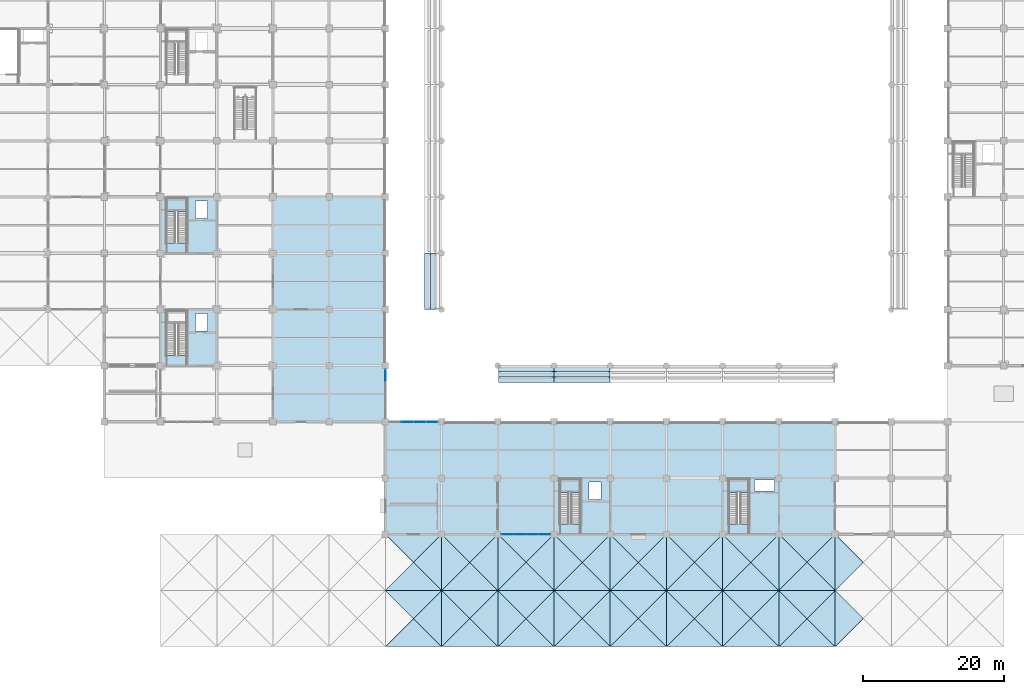
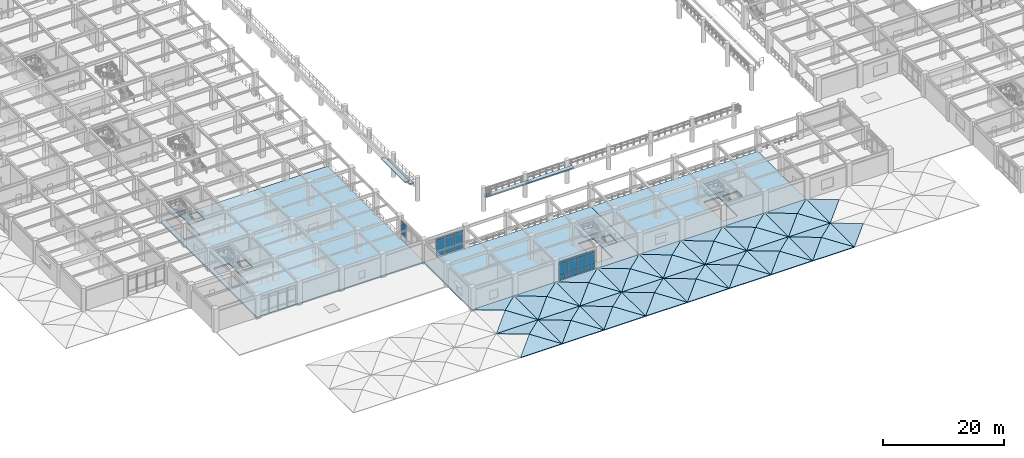
# One storey, part 55 of 109: 78 slabs, 23 plates, 6 elements without a shape of their own.
"""IFC4 building model written with IfcOpenShell, lengths in metres."""

from ifc_helpers import new_model, si_unit, direction, frame, origin, origin_2d, place, context, subcontext, project, spatial, polyline, rectangle, outline, extrude, material, layer, layer_set, type_object, element, aggregate, save


model = new_model("IFC4")

# Units and contexts
model_context = context("Model", 3, precision=1e-05, world=origin(), true_north=direction((0.0, 1.0)))
body_context = subcontext(model_context, "Body", "Model", "MODEL_VIEW")
ifc_project = project(units=[si_unit("LENGTHUNIT", "METRE"), si_unit("AREAUNIT", "SQUARE_METRE"), si_unit("VOLUMEUNIT", "CUBIC_METRE"), si_unit("PLANEANGLEUNIT", "RADIAN"), si_unit("MASSUNIT", "GRAM", prefix="KILO")], contexts=[model_context])

# Site, building, storey
site_placement = place(None, origin())
site = spatial("IfcSite", under=ifc_project, at=site_placement, CompositionType="ELEMENT")
building_placement = place(site_placement, origin())
building = spatial("IfcBuilding", under=site, at=building_placement, Name="Haebicheon Civic Stadium", CompositionType="ELEMENT")
storey_placement = place(building_placement, frame((0.0, 0.0, 9.60009765625)))
storey = spatial("IfcBuildingStorey", under=building, at=storey_placement, Name="L03", CompositionType="ELEMENT", Elevation=9.60009765625)

# Curtain wall, plate
ifc_material_1 = material(Name="Anodised aluminium and laminated glass", Category="aluminium")
ifc_layer_1 = layer(ifc_material_1, 0.179931640625, Name="Anodised aluminium and laminated glass")
ifc_layer_set_1 = layer_set([ifc_layer_1], Name="Anodised aluminium and laminated glass")
curtain_wall_type = type_object("IfcCurtainWallType", Name="CW-7050x3770", PredefinedType="NOTDEFINED", material=ifc_layer_set_1)
curtain_wall_1_placement = place(storey_placement, origin())
curtain_wall_1 = element("IfcCurtainWall", 1, at=curtain_wall_1_placement, inside=storey, type_object=curtain_wall_type, material=ifc_layer_set_1, Name="L03 unitised curtain wall 076", PredefinedType="NOTDEFINED")
ifc_material_2 = material(Name="Double low-e laminated glass", Category="glass")
ifc_layer_2 = layer(ifc_material_2, 0.028076171875, Name="Double low-e laminated glass")
ifc_layer_set_2 = layer_set([ifc_layer_2], Name="Double low-e laminated glass")
plate_type_1 = type_object("IfcPlateType", Name="CWP-GLZ-28", PredefinedType="CURTAIN_PANEL", material=ifc_layer_set_2)
plate_1_placement = place(storey_placement, frame((64.0, 38.6259765625, 1.094970703125), z_axis=(0.0, 0.0, 1.0), x_axis=(0.0, 1.0, 0.0)))
plate_1 = element("IfcPlate", 2, at=plate_1_placement, type_object=plate_type_1, material=ifc_layer_set_2, Name="CW-L03-076 vision panel 4.2", PredefinedType="CURTAIN_PANEL", context=body_context, shape_type="SweptSolid", body=[
    extrude(rectangle(XDim=1.656982421875, YDim=0.028076171875, at=origin_2d()), origin(), (0.0, 0.0, 1.0), 2.25),
])

# Curtain wall, plates
curtain_wall_2_placement = place(storey_placement, origin())
curtain_wall_2 = element("IfcCurtainWall", 3, at=curtain_wall_2_placement, inside=storey, type_object=curtain_wall_type, material=ifc_layer_set_1, Name="L03 unitised curtain wall 077", PredefinedType="NOTDEFINED")
plate_2_placement = place(storey_placement, frame((67.117919921875, 32.0, 1.094970703125), z_axis=(0.0, 0.0, 1.0), x_axis=(1.0, 0.0, 0.0)))
plate_2 = element("IfcPlate", 4, at=plate_2_placement, type_object=plate_type_1, material=ifc_layer_set_2, Name="CW-L03-077 vision panel 2.2", PredefinedType="CURTAIN_PANEL", context=body_context, shape_type="SweptSolid", body=[
    extrude(rectangle(XDim=1.693115234375, YDim=0.028076171875, at=origin_2d()), origin(), (0.0, 0.0, 1.0), 2.25),
])
plate_3_placement = place(storey_placement, frame((68.882080078125, 32.0, 1.094970703125), z_axis=(0.0, 0.0, 1.0), x_axis=(1.0, 0.0, 0.0)))
plate_3 = element("IfcPlate", 5, at=plate_3_placement, type_object=plate_type_1, material=ifc_layer_set_2, Name="CW-L03-077 vision panel 3.2", PredefinedType="CURTAIN_PANEL", context=body_context, shape_type="SweptSolid", body=[
    extrude(rectangle(XDim=1.693115234375, YDim=0.028076171875, at=origin_2d()), origin(), (0.0, 0.0, 1.0), 2.25),
])
plate_4_placement = place(storey_placement, frame((70.6259765625, 32.0, 1.094970703125), z_axis=(0.0, 0.0, 1.0), x_axis=(1.0, 0.0, 0.0)))
plate_4 = element("IfcPlate", 6, at=plate_4_placement, type_object=plate_type_1, material=ifc_layer_set_2, Name="CW-L03-077 vision panel 4.2", PredefinedType="CURTAIN_PANEL", context=body_context, shape_type="SweptSolid", body=[
    extrude(rectangle(XDim=1.656982421875, YDim=0.028076171875, at=origin_2d()), origin(), (0.0, 0.0, 1.0), 2.25),
])

curtain_wall_3_placement = place(storey_placement, origin())
curtain_wall_3 = element("IfcCurtainWall", 7, at=curtain_wall_3_placement, inside=storey, type_object=curtain_wall_type, material=ifc_layer_set_1, Name="L03 unitised curtain wall 080", PredefinedType="NOTDEFINED")
plate_5_placement = place(storey_placement, frame((81.3740234375, 16.0, 1.094970703125), z_axis=(0.0, 0.0, 1.0), x_axis=(1.0, 0.0, 0.0)))
plate_5 = element("IfcPlate", 8, at=plate_5_placement, type_object=plate_type_1, material=ifc_layer_set_2, Name="CW-L03-080 vision panel 1.2", PredefinedType="CURTAIN_PANEL", context=body_context, shape_type="SweptSolid", body=[
    extrude(rectangle(XDim=1.656982421875, YDim=0.028076171875, at=origin_2d()), origin(), (0.0, 0.0, 1.0), 2.25),
])
plate_6_placement = place(storey_placement, frame((83.117919921875, 16.0, 1.094970703125), z_axis=(0.0, 0.0, 1.0), x_axis=(1.0, 0.0, 0.0)))
plate_6 = element("IfcPlate", 9, at=plate_6_placement, type_object=plate_type_1, material=ifc_layer_set_2, Name="CW-L03-080 vision panel 2.2", PredefinedType="CURTAIN_PANEL", context=body_context, shape_type="SweptSolid", body=[
    extrude(rectangle(XDim=1.693115234375, YDim=0.028076171875, at=origin_2d()), origin(), (0.0, 0.0, 1.0), 2.25),
])
plate_7_placement = place(storey_placement, frame((84.882080078125, 16.0, 1.094970703125), z_axis=(0.0, 0.0, 1.0), x_axis=(1.0, 0.0, 0.0)))
plate_7 = element("IfcPlate", 10, at=plate_7_placement, type_object=plate_type_1, material=ifc_layer_set_2, Name="CW-L03-080 vision panel 3.2", PredefinedType="CURTAIN_PANEL", context=body_context, shape_type="SweptSolid", body=[
    extrude(rectangle(XDim=1.693115234375, YDim=0.028076171875, at=origin_2d()), origin(), (0.0, 0.0, 1.0), 2.25),
])
plate_8_placement = place(storey_placement, frame((86.6259765625, 16.0, 1.094970703125), z_axis=(0.0, 0.0, 1.0), x_axis=(1.0, 0.0, 0.0)))
plate_8 = element("IfcPlate", 11, at=plate_8_placement, type_object=plate_type_1, material=ifc_layer_set_2, Name="CW-L03-080 vision panel 4.2", PredefinedType="CURTAIN_PANEL", context=body_context, shape_type="SweptSolid", body=[
    extrude(rectangle(XDim=1.656982421875, YDim=0.028076171875, at=origin_2d()), origin(), (0.0, 0.0, 1.0), 2.25),
])

# Plate
ifc_material_3 = material(Name="Anodised aluminium 6063-T6", Category="aluminium")
ifc_layer_3 = layer(ifc_material_3, 0.0439453125, Name="Anodised aluminium 6063-T6")
ifc_layer_set_3 = layer_set([ifc_layer_3], Name="Anodised aluminium 6063-T6")
plate_type_2 = type_object("IfcPlateType", Name="CWP-SPD-44", PredefinedType="CURTAIN_PANEL", material=ifc_layer_set_3)
plate_9_placement = place(storey_placement, frame((64.0, 38.6259765625, 3.414794921875), z_axis=(0.0, 0.0, 1.0), x_axis=(0.0, 1.0, 0.0)))
plate_9 = element("IfcPlate", 12, at=plate_9_placement, type_object=plate_type_2, material=ifc_layer_set_3, Name="CW-L03-076 spandrel panel 4.3", PredefinedType="CURTAIN_PANEL", context=body_context, shape_type="SweptSolid", body=[
    extrude(rectangle(XDim=1.656982421875, YDim=0.0439453125, at=origin_2d()), origin(), (0.0, 0.0, 1.0), 0.47998046875),
])

aggregate(curtain_wall_1, [plate_1, plate_9])

plate_10_placement = place(storey_placement, frame((67.117919921875, 32.0, 0.19482421875), z_axis=(0.0, 0.0, 1.0), x_axis=(1.0, 0.0, 0.0)))
plate_10 = element("IfcPlate", 13, at=plate_10_placement, type_object=plate_type_2, material=ifc_layer_set_3, Name="CW-L03-077 spandrel panel 2.1", PredefinedType="CURTAIN_PANEL", context=body_context, shape_type="SweptSolid", body=[
    extrude(rectangle(XDim=1.693115234375, YDim=0.0439453125, at=origin_2d()), origin(), (0.0, 0.0, 1.0), 0.830078125),
])

plate_11_placement = place(storey_placement, frame((67.117919921875, 32.0, 3.414794921875), z_axis=(0.0, 0.0, 1.0), x_axis=(1.0, 0.0, 0.0)))
plate_11 = element("IfcPlate", 14, at=plate_11_placement, type_object=plate_type_2, material=ifc_layer_set_3, Name="CW-L03-077 spandrel panel 2.3", PredefinedType="CURTAIN_PANEL", context=body_context, shape_type="SweptSolid", body=[
    extrude(rectangle(XDim=1.693115234375, YDim=0.0439453125, at=origin_2d()), origin(), (0.0, 0.0, 1.0), 0.47998046875),
])

plate_12_placement = place(storey_placement, frame((68.882080078125, 32.0, 0.19482421875), z_axis=(0.0, 0.0, 1.0), x_axis=(1.0, 0.0, 0.0)))
plate_12 = element("IfcPlate", 15, at=plate_12_placement, type_object=plate_type_2, material=ifc_layer_set_3, Name="CW-L03-077 spandrel panel 3.1", PredefinedType="CURTAIN_PANEL", context=body_context, shape_type="SweptSolid", body=[
    extrude(rectangle(XDim=1.693115234375, YDim=0.0439453125, at=origin_2d()), origin(), (0.0, 0.0, 1.0), 0.830078125),
])

plate_13_placement = place(storey_placement, frame((68.882080078125, 32.0, 3.414794921875), z_axis=(0.0, 0.0, 1.0), x_axis=(1.0, 0.0, 0.0)))
plate_13 = element("IfcPlate", 16, at=plate_13_placement, type_object=plate_type_2, material=ifc_layer_set_3, Name="CW-L03-077 spandrel panel 3.3", PredefinedType="CURTAIN_PANEL", context=body_context, shape_type="SweptSolid", body=[
    extrude(rectangle(XDim=1.693115234375, YDim=0.0439453125, at=origin_2d()), origin(), (0.0, 0.0, 1.0), 0.47998046875),
])

plate_14_placement = place(storey_placement, frame((70.6259765625, 32.0, 0.19482421875), z_axis=(0.0, 0.0, 1.0), x_axis=(1.0, 0.0, 0.0)))
plate_14 = element("IfcPlate", 17, at=plate_14_placement, type_object=plate_type_2, material=ifc_layer_set_3, Name="CW-L03-077 spandrel panel 4.1", PredefinedType="CURTAIN_PANEL", context=body_context, shape_type="SweptSolid", body=[
    extrude(rectangle(XDim=1.656982421875, YDim=0.0439453125, at=origin_2d()), origin(), (0.0, 0.0, 1.0), 0.830078125),
])

plate_15_placement = place(storey_placement, frame((70.6259765625, 32.0, 3.414794921875), z_axis=(0.0, 0.0, 1.0), x_axis=(1.0, 0.0, 0.0)))
plate_15 = element("IfcPlate", 18, at=plate_15_placement, type_object=plate_type_2, material=ifc_layer_set_3, Name="CW-L03-077 spandrel panel 4.3", PredefinedType="CURTAIN_PANEL", context=body_context, shape_type="SweptSolid", body=[
    extrude(rectangle(XDim=1.656982421875, YDim=0.0439453125, at=origin_2d()), origin(), (0.0, 0.0, 1.0), 0.47998046875),
])

aggregate(curtain_wall_2, [plate_10, plate_2, plate_11, plate_12, plate_3, plate_13, plate_14, plate_4, plate_15])

plate_16_placement = place(storey_placement, frame((81.3740234375, 16.0, 0.19482421875), z_axis=(0.0, 0.0, 1.0), x_axis=(1.0, 0.0, 0.0)))
plate_16 = element("IfcPlate", 19, at=plate_16_placement, type_object=plate_type_2, material=ifc_layer_set_3, Name="CW-L03-080 spandrel panel 1.1", PredefinedType="CURTAIN_PANEL", context=body_context, shape_type="SweptSolid", body=[
    extrude(rectangle(XDim=1.656982421875, YDim=0.0439453125, at=origin_2d()), origin(), (0.0, 0.0, 1.0), 0.830078125),
])

plate_17_placement = place(storey_placement, frame((81.3740234375, 16.0, 3.414794921875), z_axis=(0.0, 0.0, 1.0), x_axis=(1.0, 0.0, 0.0)))
plate_17 = element("IfcPlate", 20, at=plate_17_placement, type_object=plate_type_2, material=ifc_layer_set_3, Name="CW-L03-080 spandrel panel 1.3", PredefinedType="CURTAIN_PANEL", context=body_context, shape_type="SweptSolid", body=[
    extrude(rectangle(XDim=1.656982421875, YDim=0.0439453125, at=origin_2d()), origin(), (0.0, 0.0, 1.0), 0.47998046875),
])

plate_18_placement = place(storey_placement, frame((83.117919921875, 16.0, 0.19482421875), z_axis=(0.0, 0.0, 1.0), x_axis=(1.0, 0.0, 0.0)))
plate_18 = element("IfcPlate", 21, at=plate_18_placement, type_object=plate_type_2, material=ifc_layer_set_3, Name="CW-L03-080 spandrel panel 2.1", PredefinedType="CURTAIN_PANEL", context=body_context, shape_type="SweptSolid", body=[
    extrude(rectangle(XDim=1.693115234375, YDim=0.0439453125, at=origin_2d()), origin(), (0.0, 0.0, 1.0), 0.830078125),
])

plate_19_placement = place(storey_placement, frame((83.117919921875, 16.0, 3.414794921875), z_axis=(0.0, 0.0, 1.0), x_axis=(1.0, 0.0, 0.0)))
plate_19 = element("IfcPlate", 22, at=plate_19_placement, type_object=plate_type_2, material=ifc_layer_set_3, Name="CW-L03-080 spandrel panel 2.3", PredefinedType="CURTAIN_PANEL", context=body_context, shape_type="SweptSolid", body=[
    extrude(rectangle(XDim=1.693115234375, YDim=0.0439453125, at=origin_2d()), origin(), (0.0, 0.0, 1.0), 0.47998046875),
])

plate_20_placement = place(storey_placement, frame((84.882080078125, 16.0, 0.19482421875), z_axis=(0.0, 0.0, 1.0), x_axis=(1.0, 0.0, 0.0)))
plate_20 = element("IfcPlate", 23, at=plate_20_placement, type_object=plate_type_2, material=ifc_layer_set_3, Name="CW-L03-080 spandrel panel 3.1", PredefinedType="CURTAIN_PANEL", context=body_context, shape_type="SweptSolid", body=[
    extrude(rectangle(XDim=1.693115234375, YDim=0.0439453125, at=origin_2d()), origin(), (0.0, 0.0, 1.0), 0.830078125),
])

plate_21_placement = place(storey_placement, frame((84.882080078125, 16.0, 3.414794921875), z_axis=(0.0, 0.0, 1.0), x_axis=(1.0, 0.0, 0.0)))
plate_21 = element("IfcPlate", 24, at=plate_21_placement, type_object=plate_type_2, material=ifc_layer_set_3, Name="CW-L03-080 spandrel panel 3.3", PredefinedType="CURTAIN_PANEL", context=body_context, shape_type="SweptSolid", body=[
    extrude(rectangle(XDim=1.693115234375, YDim=0.0439453125, at=origin_2d()), origin(), (0.0, 0.0, 1.0), 0.47998046875),
])

plate_22_placement = place(storey_placement, frame((86.6259765625, 16.0, 0.19482421875), z_axis=(0.0, 0.0, 1.0), x_axis=(1.0, 0.0, 0.0)))
plate_22 = element("IfcPlate", 25, at=plate_22_placement, type_object=plate_type_2, material=ifc_layer_set_3, Name="CW-L03-080 spandrel panel 4.1", PredefinedType="CURTAIN_PANEL", context=body_context, shape_type="SweptSolid", body=[
    extrude(rectangle(XDim=1.656982421875, YDim=0.0439453125, at=origin_2d()), origin(), (0.0, 0.0, 1.0), 0.830078125),
])

plate_23_placement = place(storey_placement, frame((86.6259765625, 16.0, 3.414794921875), z_axis=(0.0, 0.0, 1.0), x_axis=(1.0, 0.0, 0.0)))
plate_23 = element("IfcPlate", 26, at=plate_23_placement, type_object=plate_type_2, material=ifc_layer_set_3, Name="CW-L03-080 spandrel panel 4.3", PredefinedType="CURTAIN_PANEL", context=body_context, shape_type="SweptSolid", body=[
    extrude(rectangle(XDim=1.656982421875, YDim=0.0439453125, at=origin_2d()), origin(), (0.0, 0.0, 1.0), 0.47998046875),
])

aggregate(curtain_wall_3, [plate_16, plate_5, plate_17, plate_18, plate_6, plate_19, plate_20, plate_7, plate_21, plate_22, plate_8, plate_23])

# Slabs
ifc_material_4 = material(Name="Concrete C40/50", Category="concrete")
ifc_layer_4 = layer(ifc_material_4, 0.280029296875, Name="Concrete C40/50")
ifc_layer_set_4 = layer_set([ifc_layer_4], Name="Concrete C40/50")
slab_type_1 = type_object("IfcSlabType", Name="SLB-FLR-280", PredefinedType="FLOOR", material=ifc_layer_set_4)
slab_1_placement = place(storey_placement, frame((0.0, 0.0, -0.280029296875)))
element("IfcSlab", 27, at=slab_1_placement, inside=storey, type_object=slab_type_1, material=ifc_layer_set_4, Name="L03 V1 structural slab 5.1", PredefinedType="FLOOR", context=body_context, shape_type="SweptSolid", body=[
    extrude(outline(polyline([(32.0, 56.0), (32.0, 64.0), (40.0, 64.0), (48.0, 64.0), (56.0, 64.0), (64.0, 64.0), (64.0, 56.0), (64.0, 48.0), (64.0, 40.0), (64.0, 32.0), (56.0, 32.0), (48.0, 32.0), (40.0, 32.0), (32.0, 32.0), (32.0, 40.0), (32.0, 48.0), (32.0, 56.0)]), holes=[polyline([(32.840087890625, 41.4599609375), (35.739990234375, 41.4599609375), (35.739990234375, 47.840087890625), (32.840087890625, 47.840087890625), (32.840087890625, 41.4599609375)]), polyline([(36.969970703125, 44.929931640625), (38.669921875, 44.929931640625), (38.669921875, 47.429931640625), (36.969970703125, 47.429931640625), (36.969970703125, 44.929931640625)]), polyline([(32.840087890625, 57.4599609375), (35.739990234375, 57.4599609375), (35.739990234375, 63.840087890625), (32.840087890625, 63.840087890625), (32.840087890625, 57.4599609375)]), polyline([(36.969970703125, 60.929931640625), (38.669921875, 60.929931640625), (38.669921875, 63.429931640625), (36.969970703125, 63.429931640625), (36.969970703125, 60.929931640625)])]), origin(), (0.0, 0.0, 1.0), 0.280029296875),
])
slab_2_placement = place(storey_placement, frame((0.0, 0.0, -0.280029296875)))
element("IfcSlab", 28, at=slab_2_placement, inside=storey, type_object=slab_type_1, material=ifc_layer_set_4, Name="L03 V2 structural slab 1.1", PredefinedType="FLOOR", context=body_context, shape_type="SweptSolid", body=[
    extrude(outline(polyline([(96.0, 16.0), (88.0, 16.0), (80.0, 16.0), (72.0, 16.0), (64.0, 16.0), (64.0, 24.0), (64.0, 32.0), (72.0, 32.0), (80.0, 32.0), (88.0, 32.0), (96.0, 32.0), (96.0, 24.0), (96.0, 16.0)]), holes=[polyline([(88.840087890625, 17.4599609375), (91.739990234375, 17.4599609375), (91.739990234375, 23.840087890625), (88.840087890625, 23.840087890625), (88.840087890625, 17.4599609375)]), polyline([(92.969970703125, 20.929931640625), (94.669921875, 20.929931640625), (94.669921875, 23.429931640625), (92.969970703125, 23.429931640625), (92.969970703125, 20.929931640625)])]), origin(), (0.0, 0.0, 1.0), 0.280029296875),
])
slab_3_placement = place(storey_placement, frame((0.0, 0.0, -0.280029296875)))
element("IfcSlab", 29, at=slab_3_placement, inside=storey, type_object=slab_type_1, material=ifc_layer_set_4, Name="L03 V2 structural slab 4.1", PredefinedType="FLOOR", context=body_context, shape_type="SweptSolid", body=[
    extrude(outline(polyline([(128.0, 16.0), (120.0, 16.0), (112.0, 16.0), (104.0, 16.0), (96.0, 16.0), (96.0, 24.0), (96.0, 32.0), (104.0, 32.0), (112.0, 32.0), (120.0, 32.0), (128.0, 32.0), (128.0, 24.0), (128.0, 16.0)]), holes=[polyline([(112.840087890625, 17.4599609375), (115.739990234375, 17.4599609375), (115.739990234375, 23.840087890625), (112.840087890625, 23.840087890625), (112.840087890625, 17.4599609375)]), polyline([(116.550048828125, 22.14990234375), (119.35009765625, 22.14990234375), (119.35009765625, 23.75), (116.550048828125, 23.75), (116.550048828125, 22.14990234375)])]), origin(), (0.0, 0.0, 1.0), 0.280029296875),
])

# Stair, slab
ifc_material_5 = material(Name="Concrete C40/50", Category="concrete")
stair_type_1 = type_object("IfcStairType", Name="STR-DL-W128-H48", PredefinedType="HALF_TURN_STAIR", material=ifc_material_5)
stair_1_placement = place(storey_placement, origin())
stair_1 = element("IfcStair", 30, at=stair_1_placement, inside=storey, type_object=stair_type_1, material=ifc_material_5, Name="L03 Escape stair ST-02", PredefinedType="HALF_TURN_STAIR")
ifc_material_6 = material(Name="Concrete C40/50", Category="concrete")
ifc_layer_5 = layer(ifc_material_6, 0.199951171875, Name="Concrete C40/50")
ifc_layer_set_5 = layer_set([ifc_layer_5], Name="Concrete C40/50")
slab_type_2 = type_object("IfcSlabType", Name="SLB-LND-200", PredefinedType="LANDING", material=ifc_layer_set_5)
slab_4_placement = place(storey_placement, frame((0.0, 0.0, 2.199951171875)))
slab_4 = element("IfcSlab", 31, at=slab_4_placement, type_object=slab_type_2, material=ifc_layer_set_5, Name="ST-02 landing 1", PredefinedType="LANDING", context=body_context, shape_type="SweptSolid", body=[
    extrude(outline(polyline([(35.739990234375, 61.949951171875), (35.739990234375, 63.840087890625), (32.840087890625, 63.840087890625), (32.840087890625, 61.949951171875), (35.739990234375, 61.949951171875)])), origin(), (0.0, 0.0, 1.0), 0.199951171875),
])
aggregate(stair_1, [slab_4])

stair_2_placement = place(storey_placement, origin())
stair_2 = element("IfcStair", 32, at=stair_2_placement, inside=storey, type_object=stair_type_1, material=ifc_material_5, Name="L03 Escape stair ST-06", PredefinedType="HALF_TURN_STAIR")
slab_5_placement = place(storey_placement, frame((0.0, 0.0, 2.199951171875)))
slab_5 = element("IfcSlab", 33, at=slab_5_placement, type_object=slab_type_2, material=ifc_layer_set_5, Name="ST-06 landing 1", PredefinedType="LANDING", context=body_context, shape_type="SweptSolid", body=[
    extrude(outline(polyline([(91.739990234375, 21.949951171875), (91.739990234375, 23.840087890625), (88.840087890625, 23.840087890625), (88.840087890625, 21.949951171875), (91.739990234375, 21.949951171875)])), origin(), (0.0, 0.0, 1.0), 0.199951171875),
])
aggregate(stair_2, [slab_5])

ifc_material_7 = material(Name="Concrete C40/50", Category="concrete")
stair_type_2 = type_object("IfcStairType", Name="STR-DL-W126-H48", PredefinedType="HALF_TURN_STAIR", material=ifc_material_7)
stair_3_placement = place(storey_placement, origin())
stair_3 = element("IfcStair", 34, at=stair_3_placement, inside=storey, type_object=stair_type_2, material=ifc_material_7, Name="L03 Escape stair ST-07", PredefinedType="HALF_TURN_STAIR")
slab_6_placement = place(storey_placement, frame((0.0, 0.0, 2.199951171875)))
slab_6 = element("IfcSlab", 35, at=slab_6_placement, type_object=slab_type_2, material=ifc_layer_set_5, Name="ST-07 landing 1", PredefinedType="LANDING", context=body_context, shape_type="SweptSolid", body=[
    extrude(outline(polyline([(115.739990234375, 21.949951171875), (115.739990234375, 23.840087890625), (112.840087890625, 23.840087890625), (112.840087890625, 21.949951171875), (115.739990234375, 21.949951171875)])), origin(), (0.0, 0.0, 1.0), 0.199951171875),
])
aggregate(stair_3, [slab_6])

# Slabs
ifc_material_8 = material(Name="Precast concrete C40/50", Category="concrete")
ifc_layer_6 = layer(ifc_material_8, 0.169921875, Name="Precast concrete C40/50")
ifc_layer_set_6 = layer_set([ifc_layer_6], Name="Precast concrete C40/50")
slab_type_3 = type_object("IfcSlabType", Name="SLB-ROOF-170", PredefinedType="ROOF", material=ifc_layer_set_6)
for number, where, z_axis, x_axis, name in (
    (36, (64.0, 0.0, 0.02001953125), (0.0, -0.21948952406, 0.97561485681), (1.0, 0.0, 0.0), "L03 V6 folded shell roof facet 9.S"),
    (37, (72.0, 0.0, 0.02001953125), (0.21948952406, 0.0, 0.97561485681), (0.0, 1.0, 0.0), "L03 V6 folded shell roof facet 9.E"),
    (38, (72.0, 8.0, 0.02001953125), (0.0, 0.21948952406, 0.97561485681), (-1.0, 0.0, 0.0), "L03 V6 folded shell roof facet 9.N"),
    (39, (64.0, 8.0, 0.02001953125), (0.0, -0.21948952406, 0.97561485681), (1.0, 0.0, 0.0), "L03 V6 folded shell roof facet 10.S"),
    (40, (72.0, 8.0, 0.02001953125), (0.21948952406, 0.0, 0.97561485681), (0.0, 1.0, 0.0), "L03 V6 folded shell roof facet 10.E"),
    (41, (72.0, 16.0, 0.02001953125), (0.0, 0.21948952406, 0.97561485681), (-1.0, 0.0, 0.0), "L03 V6 folded shell roof facet 10.N"),
    (42, (72.0, 0.0, 0.02001953125), (0.0, -0.21948952406, 0.97561485681), (1.0, 0.0, 0.0), "L03 V6 folded shell roof facet 11.S"),
    (43, (80.0, 0.0, 0.02001953125), (0.21948952406, 0.0, 0.97561485681), (0.0, 1.0, 0.0), "L03 V6 folded shell roof facet 11.E"),
    (44, (80.0, 8.0, 0.02001953125), (0.0, 0.21948952406, 0.97561485681), (-1.0, 0.0, 0.0), "L03 V6 folded shell roof facet 11.N"),
    (45, (72.0, 8.0, 0.02001953125), (-0.21948952406, 0.0, 0.97561485681), (0.0, -1.0, 0.0), "L03 V6 folded shell roof facet 11.W"),
    (46, (72.0, 8.0, 0.02001953125), (0.0, -0.21948952406, 0.97561485681), (1.0, 0.0, 0.0), "L03 V6 folded shell roof facet 12.S"),
    (47, (80.0, 8.0, 0.02001953125), (0.21948952406, 0.0, 0.97561485681), (0.0, 1.0, 0.0), "L03 V6 folded shell roof facet 12.E"),
    (48, (80.0, 16.0, 0.02001953125), (0.0, 0.21948952406, 0.97561485681), (-1.0, 0.0, 0.0), "L03 V6 folded shell roof facet 12.N"),
    (49, (72.0, 16.0, 0.02001953125), (-0.21948952406, 0.0, 0.97561485681), (0.0, -1.0, 0.0), "L03 V6 folded shell roof facet 12.W"),
    (50, (80.0, 0.0, 0.02001953125), (0.0, -0.21948952406, 0.97561485681), (1.0, 0.0, 0.0), "L03 V6 folded shell roof facet 13.S"),
    (51, (88.0, 0.0, 0.02001953125), (0.21948952406, 0.0, 0.97561485681), (0.0, 1.0, 0.0), "L03 V6 folded shell roof facet 13.E"),
    (52, (88.0, 8.0, 0.02001953125), (0.0, 0.21948952406, 0.97561485681), (-1.0, 0.0, 0.0), "L03 V6 folded shell roof facet 13.N"),
    (53, (80.0, 8.0, 0.02001953125), (-0.21948952406, 0.0, 0.97561485681), (0.0, -1.0, 0.0), "L03 V6 folded shell roof facet 13.W"),
    (54, (80.0, 8.0, 0.02001953125), (0.0, -0.21948952406, 0.97561485681), (1.0, 0.0, 0.0), "L03 V6 folded shell roof facet 14.S"),
    (55, (88.0, 8.0, 0.02001953125), (0.21948952406, 0.0, 0.97561485681), (0.0, 1.0, 0.0), "L03 V6 folded shell roof facet 14.E"),
    (56, (88.0, 16.0, 0.02001953125), (0.0, 0.21948952406, 0.97561485681), (-1.0, 0.0, 0.0), "L03 V6 folded shell roof facet 14.N"),
    (57, (80.0, 16.0, 0.02001953125), (-0.21948952406, 0.0, 0.97561485681), (0.0, -1.0, 0.0), "L03 V6 folded shell roof facet 14.W"),
    (58, (88.0, 0.0, 0.02001953125), (0.0, -0.21948952406, 0.97561485681), (1.0, 0.0, 0.0), "L03 V6 folded shell roof facet 15.S"),
    (59, (96.0, 0.0, 0.02001953125), (0.21948952406, 0.0, 0.97561485681), (0.0, 1.0, 0.0), "L03 V6 folded shell roof facet 15.E"),
    (60, (96.0, 8.0, 0.02001953125), (0.0, 0.21948952406, 0.97561485681), (-1.0, 0.0, 0.0), "L03 V6 folded shell roof facet 15.N"),
    (61, (88.0, 8.0, 0.02001953125), (-0.21948952406, 0.0, 0.97561485681), (0.0, -1.0, 0.0), "L03 V6 folded shell roof facet 15.W"),
    (62, (88.0, 8.0, 0.02001953125), (0.0, -0.21948952406, 0.97561485681), (1.0, 0.0, 0.0), "L03 V6 folded shell roof facet 16.S"),
    (63, (96.0, 8.0, 0.02001953125), (0.21948952406, 0.0, 0.97561485681), (0.0, 1.0, 0.0), "L03 V6 folded shell roof facet 16.E"),
    (64, (96.0, 16.0, 0.02001953125), (0.0, 0.21948952406, 0.97561485681), (-1.0, 0.0, 0.0), "L03 V6 folded shell roof facet 16.N"),
    (65, (88.0, 16.0, 0.02001953125), (-0.21948952406, 0.0, 0.97561485681), (0.0, -1.0, 0.0), "L03 V6 folded shell roof facet 16.W"),
    (66, (96.0, 0.0, 0.02001953125), (0.0, -0.21948952406, 0.97561485681), (1.0, 0.0, 0.0), "L03 V6 folded shell roof facet 17.S"),
    (67, (104.0, 0.0, 0.02001953125), (0.21948952406, 0.0, 0.97561485681), (0.0, 1.0, 0.0), "L03 V6 folded shell roof facet 17.E"),
    (68, (104.0, 8.0, 0.02001953125), (0.0, 0.21948952406, 0.97561485681), (-1.0, 0.0, 0.0), "L03 V6 folded shell roof facet 17.N"),
    (69, (96.0, 8.0, 0.02001953125), (-0.21948952406, 0.0, 0.97561485681), (0.0, -1.0, 0.0), "L03 V6 folded shell roof facet 17.W"),
    (70, (96.0, 8.0, 0.02001953125), (0.0, -0.21948952406, 0.97561485681), (1.0, 0.0, 0.0), "L03 V6 folded shell roof facet 18.S"),
    (71, (104.0, 8.0, 0.02001953125), (0.21948952406, 0.0, 0.97561485681), (0.0, 1.0, 0.0), "L03 V6 folded shell roof facet 18.E"),
    (72, (104.0, 16.0, 0.02001953125), (0.0, 0.21948952406, 0.97561485681), (-1.0, 0.0, 0.0), "L03 V6 folded shell roof facet 18.N"),
    (73, (96.0, 16.0, 0.02001953125), (-0.21948952406, 0.0, 0.97561485681), (0.0, -1.0, 0.0), "L03 V6 folded shell roof facet 18.W"),
    (74, (104.0, 0.0, 0.02001953125), (0.0, -0.21948952406, 0.97561485681), (1.0, 0.0, 0.0), "L03 V6 folded shell roof facet 19.S"),
    (75, (112.0, 0.0, 0.02001953125), (0.21948952406, 0.0, 0.97561485681), (0.0, 1.0, 0.0), "L03 V6 folded shell roof facet 19.E"),
    (76, (112.0, 8.0, 0.02001953125), (0.0, 0.21948952406, 0.97561485681), (-1.0, 0.0, 0.0), "L03 V6 folded shell roof facet 19.N"),
    (77, (104.0, 8.0, 0.02001953125), (-0.21948952406, 0.0, 0.97561485681), (0.0, -1.0, 0.0), "L03 V6 folded shell roof facet 19.W"),
    (78, (104.0, 8.0, 0.02001953125), (0.0, -0.21948952406, 0.97561485681), (1.0, 0.0, 0.0), "L03 V6 folded shell roof facet 20.S"),
    (79, (112.0, 8.0, 0.02001953125), (0.21948952406, 0.0, 0.97561485681), (0.0, 1.0, 0.0), "L03 V6 folded shell roof facet 20.E"),
    (80, (112.0, 16.0, 0.02001953125), (0.0, 0.21948952406, 0.97561485681), (-1.0, 0.0, 0.0), "L03 V6 folded shell roof facet 20.N"),
    (81, (104.0, 16.0, 0.02001953125), (-0.21948952406, 0.0, 0.97561485681), (0.0, -1.0, 0.0), "L03 V6 folded shell roof facet 20.W"),
    (82, (112.0, 0.0, 0.02001953125), (0.0, -0.21948952406, 0.97561485681), (1.0, 0.0, 0.0), "L03 V6 folded shell roof facet 21.S"),
    (83, (120.0, 0.0, 0.02001953125), (0.21948952406, 0.0, 0.97561485681), (0.0, 1.0, 0.0), "L03 V6 folded shell roof facet 21.E"),
    (84, (120.0, 8.0, 0.02001953125), (0.0, 0.21948952406, 0.97561485681), (-1.0, 0.0, 0.0), "L03 V6 folded shell roof facet 21.N"),
    (85, (112.0, 8.0, 0.02001953125), (-0.21948952406, 0.0, 0.97561485681), (0.0, -1.0, 0.0), "L03 V6 folded shell roof facet 21.W"),
    (86, (112.0, 8.0, 0.02001953125), (0.0, -0.21948952406, 0.97561485681), (1.0, 0.0, 0.0), "L03 V6 folded shell roof facet 22.S"),
    (87, (120.0, 8.0, 0.02001953125), (0.21948952406, 0.0, 0.97561485681), (0.0, 1.0, 0.0), "L03 V6 folded shell roof facet 22.E"),
    (88, (120.0, 16.0, 0.02001953125), (0.0, 0.21948952406, 0.97561485681), (-1.0, 0.0, 0.0), "L03 V6 folded shell roof facet 22.N"),
    (89, (112.0, 16.0, 0.02001953125), (-0.21948952406, 0.0, 0.97561485681), (0.0, -1.0, 0.0), "L03 V6 folded shell roof facet 22.W"),
    (90, (120.0, 0.0, 0.02001953125), (0.0, -0.21948952406, 0.97561485681), (1.0, 0.0, 0.0), "L03 V6 folded shell roof facet 23.S"),
    (91, (128.0, 0.0, 0.02001953125), (0.21948952406, 0.0, 0.97561485681), (0.0, 1.0, 0.0), "L03 V6 folded shell roof facet 23.E"),
    (92, (128.0, 8.0, 0.02001953125), (0.0, 0.21948952406, 0.97561485681), (-1.0, 0.0, 0.0), "L03 V6 folded shell roof facet 23.N"),
    (93, (120.0, 8.0, 0.02001953125), (-0.21948952406, 0.0, 0.97561485681), (0.0, -1.0, 0.0), "L03 V6 folded shell roof facet 23.W"),
    (94, (120.0, 8.0, 0.02001953125), (0.0, -0.21948952406, 0.97561485681), (1.0, 0.0, 0.0), "L03 V6 folded shell roof facet 24.S"),
    (95, (128.0, 8.0, 0.02001953125), (0.21948952406, 0.0, 0.97561485681), (0.0, 1.0, 0.0), "L03 V6 folded shell roof facet 24.E"),
    (96, (128.0, 16.0, 0.02001953125), (0.0, 0.21948952406, 0.97561485681), (-1.0, 0.0, 0.0), "L03 V6 folded shell roof facet 24.N"),
    (97, (120.0, 16.0, 0.02001953125), (-0.21948952406, 0.0, 0.97561485681), (0.0, -1.0, 0.0), "L03 V6 folded shell roof facet 24.W"),
    (98, (128.0, 8.0, 0.02001953125), (-0.21948952406, 0.0, 0.97561485681), (0.0, -1.0, 0.0), "L03 V6 folded shell roof facet 25.W"),
    (99, (128.0, 16.0, 0.02001953125), (-0.21948952406, 0.0, 0.97561485681), (0.0, -1.0, 0.0), "L03 V6 folded shell roof facet 26.W"),
):
    element("IfcSlab", number, at=place(storey_placement, frame(where, z_axis=z_axis, x_axis=x_axis)), inside=storey, type_object=slab_type_3, material=ifc_layer_set_6, Name=name, PredefinedType="ROOF", context=body_context, shape_type="SweptSolid", body=[
        extrude(outline(polyline([(0.0, 0.0), (8.0, 0.0), (4.0, 4.099978564369178), (0.0, 0.0)])), origin(), (0.0, 0.0, -1.0), 0.169921875),
    ])
ifc_material_9 = material(Name="Precast concrete C40/50", Category="concrete")
ifc_layer_7 = layer(ifc_material_9, 0.239990234375, Name="Precast concrete C40/50")
ifc_layer_set_7 = layer_set([ifc_layer_7], Name="Precast concrete C40/50")
slab_type_4 = type_object("IfcSlabType", Name="SLB-TIER-240", PredefinedType="USERDEFINED", material=ifc_layer_set_7)
slab_7_placement = place(storey_placement, frame((0.0, 0.0, 3.60400390625)))
element("IfcSlab", 100, at=slab_7_placement, inside=storey, type_object=slab_type_4, material=ifc_layer_set_7, Name="TIER-W-U precast seating tier bay 1 row-band 2", ObjectType="SEATING TIER", PredefinedType="USERDEFINED", context=body_context, shape_type="SweptSolid", body=[
    extrude(outline(polyline([(70.39990234375, 48.0), (71.199951171875, 48.0), (71.199951171875, 56.0), (70.39990234375, 56.0), (70.39990234375, 48.0)])), origin(), (0.0, 0.0, 1.0), 0.239990234375),
])
slab_8_placement = place(storey_placement, frame((0.0, 0.0, 4.2490234375)))
element("IfcSlab", 101, at=slab_8_placement, inside=storey, type_object=slab_type_4, material=ifc_layer_set_7, Name="TIER-W-U precast seating tier bay 1 row-band 3", ObjectType="SEATING TIER", PredefinedType="USERDEFINED", context=body_context, shape_type="SweptSolid", body=[
    extrude(outline(polyline([(69.60009765625, 48.0), (70.39990234375, 48.0), (70.39990234375, 56.0), (69.60009765625, 56.0), (69.60009765625, 48.0)])), origin(), (0.0, 0.0, 1.0), 0.239990234375),
])
slab_9_placement = place(storey_placement, frame((0.0, 0.0, 2.9599609375)))
element("IfcSlab", 102, at=slab_9_placement, inside=storey, type_object=slab_type_4, material=ifc_layer_set_7, Name="TIER-S-U precast seating tier bay 1 row-band 1", ObjectType="SEATING TIER", PredefinedType="USERDEFINED", context=body_context, shape_type="SweptSolid", body=[
    extrude(outline(polyline([(80.0, 39.199951171875), (88.0, 39.199951171875), (88.0, 40.0), (80.0, 40.0), (80.0, 39.199951171875)])), origin(), (0.0, 0.0, 1.0), 0.239990234375),
])
slab_10_placement = place(storey_placement, frame((0.0, 0.0, 3.60400390625)))
element("IfcSlab", 103, at=slab_10_placement, inside=storey, type_object=slab_type_4, material=ifc_layer_set_7, Name="TIER-S-U precast seating tier bay 1 row-band 2", ObjectType="SEATING TIER", PredefinedType="USERDEFINED", context=body_context, shape_type="SweptSolid", body=[
    extrude(outline(polyline([(80.0, 38.39990234375), (88.0, 38.39990234375), (88.0, 39.199951171875), (80.0, 39.199951171875), (80.0, 38.39990234375)])), origin(), (0.0, 0.0, 1.0), 0.239990234375),
])
slab_11_placement = place(storey_placement, frame((0.0, 0.0, 4.2490234375)))
element("IfcSlab", 104, at=slab_11_placement, inside=storey, type_object=slab_type_4, material=ifc_layer_set_7, Name="TIER-S-U precast seating tier bay 1 row-band 3", ObjectType="SEATING TIER", PredefinedType="USERDEFINED", context=body_context, shape_type="SweptSolid", body=[
    extrude(outline(polyline([(80.0, 37.60009765625), (88.0, 37.60009765625), (88.0, 38.39990234375), (80.0, 38.39990234375), (80.0, 37.60009765625)])), origin(), (0.0, 0.0, 1.0), 0.239990234375),
])
slab_12_placement = place(storey_placement, frame((0.0, 0.0, 2.9599609375)))
element("IfcSlab", 105, at=slab_12_placement, inside=storey, type_object=slab_type_4, material=ifc_layer_set_7, Name="TIER-S-U precast seating tier bay 2 row-band 1", ObjectType="SEATING TIER", PredefinedType="USERDEFINED", context=body_context, shape_type="SweptSolid", body=[
    extrude(outline(polyline([(88.0, 39.199951171875), (96.0, 39.199951171875), (96.0, 40.0), (88.0, 40.0), (88.0, 39.199951171875)])), origin(), (0.0, 0.0, 1.0), 0.239990234375),
])
slab_13_placement = place(storey_placement, frame((0.0, 0.0, 3.60400390625)))
element("IfcSlab", 106, at=slab_13_placement, inside=storey, type_object=slab_type_4, material=ifc_layer_set_7, Name="TIER-S-U precast seating tier bay 2 row-band 2", ObjectType="SEATING TIER", PredefinedType="USERDEFINED", context=body_context, shape_type="SweptSolid", body=[
    extrude(outline(polyline([(88.0, 38.39990234375), (96.0, 38.39990234375), (96.0, 39.199951171875), (88.0, 39.199951171875), (88.0, 38.39990234375)])), origin(), (0.0, 0.0, 1.0), 0.239990234375),
])
slab_14_placement = place(storey_placement, frame((0.0, 0.0, 4.2490234375)))
element("IfcSlab", 107, at=slab_14_placement, inside=storey, type_object=slab_type_4, material=ifc_layer_set_7, Name="TIER-S-U precast seating tier bay 2 row-band 3", ObjectType="SEATING TIER", PredefinedType="USERDEFINED", context=body_context, shape_type="SweptSolid", body=[
    extrude(outline(polyline([(88.0, 37.60009765625), (96.0, 37.60009765625), (96.0, 38.39990234375), (88.0, 38.39990234375), (88.0, 37.60009765625)])), origin(), (0.0, 0.0, 1.0), 0.239990234375),
])

save(model, "model.ifc")
